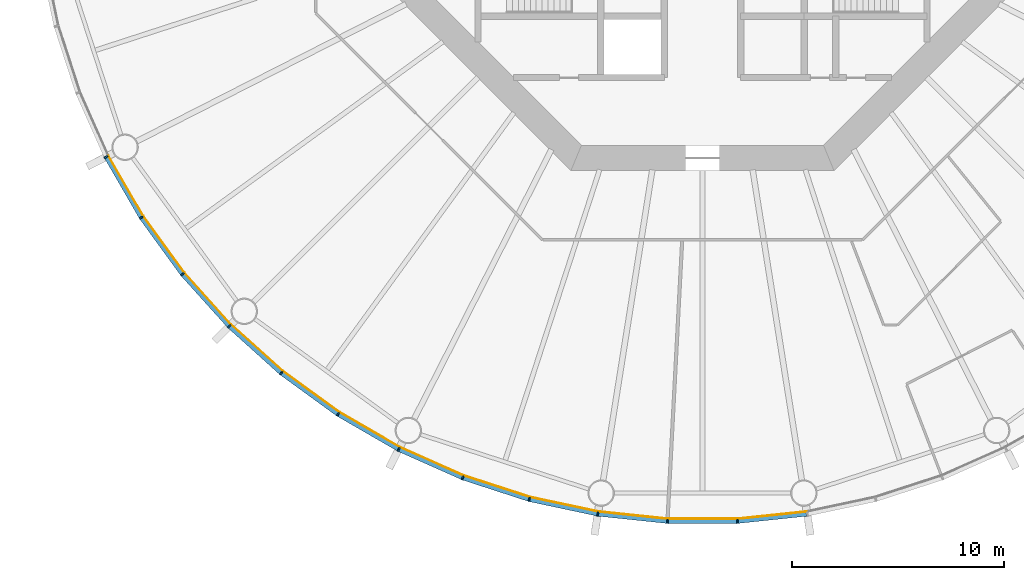
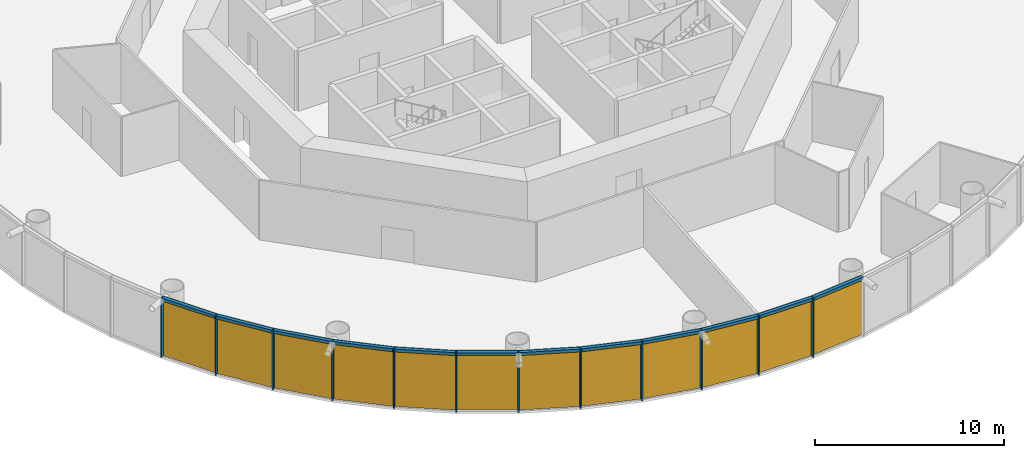
# One storey, part 6 of 12: 24 members, 4 curtain walls.
"""IFC4 building model written with IfcOpenShell, lengths in metres."""

from ifc_helpers import new_model, si_unit, direction, frame, origin, origin_2d, place, context, subcontext, project, spatial, polyline, rectangle, outline, extrude, material, layer, layer_set, material_profile, profile_set, type_object, element, aggregate, save


model = new_model("IFC4")

# Units and contexts
model_context = context("Model", 3, precision=1e-05, world=origin(), true_north=direction((0.0, 1.0)))
body_context = subcontext(model_context, "Body", "Model", "MODEL_VIEW")
ifc_project = project(units=[si_unit("LENGTHUNIT", "METRE"), si_unit("AREAUNIT", "SQUARE_METRE"), si_unit("VOLUMEUNIT", "CUBIC_METRE"), si_unit("PLANEANGLEUNIT", "RADIAN"), si_unit("MASSUNIT", "GRAM", prefix="KILO")], contexts=[model_context])

# Member
ifc_material_1 = material(Name="Anodised aluminium", Category="aluminium")
ifc_material_profile_1 = material_profile(ifc_material_1, rectangle(XDim=0.070068359375, YDim=0.199951171875, at=origin_2d()), Name="Mullion 70 x 200 mm anodised aluminium")
ifc_profile_set_1 = profile_set([ifc_material_profile_1], Name="Anodised aluminium")
member_type_1 = type_object("IfcMemberType", Name="Mullion 70 x 200 mm anodised aluminium", PredefinedType="MULLION", material=ifc_profile_set_1)
site_placement = place(None, origin())
building_placement = place(site_placement, origin())
storey_placement = place(building_placement, frame((0.0, 0.0, 128.0)))
member_1_placement = place(storey_placement, frame((61.84423828125, 65.65380859375, 0.0), z_axis=(0.0, 0.0, 1.0), x_axis=(0.45399049974, -0.891006524188, 0.0)))
member_1 = element("IfcMember", 1, at=member_1_placement, type_object=member_type_1, Name="MULLION L29-33", PredefinedType="MULLION", context=body_context, shape_type="SweptSolid", body=[
    extrude(rectangle(XDim=0.070068359375, YDim=0.199951171875, at=origin_2d()), origin(), (0.0, 0.0, 1.0), 3.85009765625),
])

member_2_placement = place(storey_placement, frame((63.498046875, 62.789306640625, 0.0), z_axis=(0.0, 0.0, 1.0), x_axis=(0.544639035015, -0.838670567945, 0.0)))
member_2 = element("IfcMember", 2, at=member_2_placement, type_object=member_type_1, Name="MULLION L29-34", PredefinedType="MULLION", context=body_context, shape_type="SweptSolid", body=[
    extrude(rectangle(XDim=0.070068359375, YDim=0.199951171875, at=origin_2d()), origin(), (0.0, 0.0, 1.0), 3.85009765625),
])

member_3_placement = place(storey_placement, frame((65.442138671875, 60.113525390625, 0.0), z_axis=(0.0, 0.0, 1.0), x_axis=(0.62932039105, -0.777145961457, 0.0)))
member_3 = element("IfcMember", 3, at=member_3_placement, type_object=member_type_1, Name="MULLION L29-35", PredefinedType="MULLION", context=body_context, shape_type="SweptSolid", body=[
    extrude(rectangle(XDim=0.070068359375, YDim=0.199951171875, at=origin_2d()), origin(), (0.0, 0.0, 1.0), 3.85009765625),
])

member_4_placement = place(storey_placement, frame((67.655517578125, 57.655517578125, 0.0), z_axis=(0.0, 0.0, 1.0), x_axis=(0.707106781187, -0.707106781187, 0.0)))
member_4 = element("IfcMember", 4, at=member_4_placement, type_object=member_type_1, Name="MULLION L29-36", PredefinedType="MULLION", context=body_context, shape_type="SweptSolid", body=[
    extrude(rectangle(XDim=0.070068359375, YDim=0.199951171875, at=origin_2d()), origin(), (0.0, 0.0, 1.0), 3.85009765625),
])

member_5_placement = place(storey_placement, frame((70.113525390625, 55.442138671875, 0.0), z_axis=(0.0, 0.0, 1.0), x_axis=(0.777145961457, -0.62932039105, 0.0)))
member_5 = element("IfcMember", 5, at=member_5_placement, type_object=member_type_1, Name="MULLION L29-37", PredefinedType="MULLION", context=body_context, shape_type="SweptSolid", body=[
    extrude(rectangle(XDim=0.070068359375, YDim=0.199951171875, at=origin_2d()), origin(), (0.0, 0.0, 1.0), 3.85009765625),
])

member_6_placement = place(storey_placement, frame((72.789306640625, 53.498046875, 0.0), z_axis=(0.0, 0.0, 1.0), x_axis=(0.838670567945, -0.544639035015, 0.0)))
member_6 = element("IfcMember", 6, at=member_6_placement, type_object=member_type_1, Name="MULLION L29-38", PredefinedType="MULLION", context=body_context, shape_type="SweptSolid", body=[
    extrude(rectangle(XDim=0.070068359375, YDim=0.199951171875, at=origin_2d()), origin(), (0.0, 0.0, 1.0), 3.85009765625),
])

member_7_placement = place(storey_placement, frame((75.65380859375, 51.84423828125, 0.0), z_axis=(0.0, 0.0, 1.0), x_axis=(0.891006524188, -0.45399049974, 0.0)))
member_7 = element("IfcMember", 7, at=member_7_placement, type_object=member_type_1, Name="MULLION L29-39", PredefinedType="MULLION", context=body_context, shape_type="SweptSolid", body=[
    extrude(rectangle(XDim=0.070068359375, YDim=0.199951171875, at=origin_2d()), origin(), (0.0, 0.0, 1.0), 3.85009765625),
])

member_8_placement = place(storey_placement, frame((78.675537109375, 50.498779296875, 0.0), z_axis=(0.0, 0.0, 1.0), x_axis=(0.933580426497, -0.358367949545, 0.0)))
member_8 = element("IfcMember", 8, at=member_8_placement, type_object=member_type_1, Name="MULLION L29-40", PredefinedType="MULLION", context=body_context, shape_type="SweptSolid", body=[
    extrude(rectangle(XDim=0.070068359375, YDim=0.199951171875, at=origin_2d()), origin(), (0.0, 0.0, 1.0), 3.85009765625),
])

member_9_placement = place(storey_placement, frame((81.8212890625, 49.476806640625, 0.0), z_axis=(0.0, 0.0, 1.0), x_axis=(0.965925826289, -0.258819045103, 0.0)))
member_9 = element("IfcMember", 9, at=member_9_placement, type_object=member_type_1, Name="MULLION L29-41", PredefinedType="MULLION", context=body_context, shape_type="SweptSolid", body=[
    extrude(rectangle(XDim=0.070068359375, YDim=0.199951171875, at=origin_2d()), origin(), (0.0, 0.0, 1.0), 3.85009765625),
])

member_10_placement = place(storey_placement, frame((85.056640625, 48.7890625, 0.0), z_axis=(0.0, 0.0, 1.0), x_axis=(0.987688340595, -0.15643446504, 0.0)))
member_10 = element("IfcMember", 10, at=member_10_placement, type_object=member_type_1, Name="MULLION L29-42", PredefinedType="MULLION", context=body_context, shape_type="SweptSolid", body=[
    extrude(rectangle(XDim=0.070068359375, YDim=0.199951171875, at=origin_2d()), origin(), (0.0, 0.0, 1.0), 3.85009765625),
])

member_11_placement = place(storey_placement, frame((88.34619140625, 48.443359375, 0.0), z_axis=(0.0, 0.0, 1.0), x_axis=(0.998629534755, -0.052335956243, 0.0)))
member_11 = element("IfcMember", 11, at=member_11_placement, type_object=member_type_1, Name="MULLION L29-43", PredefinedType="MULLION", context=body_context, shape_type="SweptSolid", body=[
    extrude(rectangle(XDim=0.070068359375, YDim=0.199951171875, at=origin_2d()), origin(), (0.0, 0.0, 1.0), 3.85009765625),
])

member_12_placement = place(storey_placement, frame((91.65380859375, 48.443359375, 0.0), z_axis=(0.0, 0.0, 1.0), x_axis=(0.998629534755, 0.052335956243, 0.0)))
member_12 = element("IfcMember", 12, at=member_12_placement, type_object=member_type_1, Name="MULLION L29-44", PredefinedType="MULLION", context=body_context, shape_type="SweptSolid", body=[
    extrude(rectangle(XDim=0.070068359375, YDim=0.199951171875, at=origin_2d()), origin(), (0.0, 0.0, 1.0), 3.85009765625),
])

ifc_material_2 = material(Name="Anodised aluminium", Category="aluminium")
ifc_material_profile_2 = material_profile(ifc_material_2, rectangle(XDim=0.199951171875, YDim=0.18994140625, at=origin_2d()), Name="Transom 190 x 200 mm anodised aluminium")
ifc_profile_set_2 = profile_set([ifc_material_profile_2], Name="Anodised aluminium")
member_type_2 = type_object("IfcMemberType", Name="Transom 190 x 200 mm anodised aluminium", PredefinedType="USERDEFINED", material=ifc_profile_set_2)
member_13_placement = place(storey_placement, frame((61.8642578125, 65.618896484375, 3.7548828125), z_axis=(0.500004055213, -0.866023062494, 0.0), x_axis=(0.866023062494, 0.500004055213, 0.0)))
member_13 = element("IfcMember", 13, at=member_13_placement, type_object=member_type_2, Name="TRANSOM L29-33", ObjectType="TRANSOM", PredefinedType="USERDEFINED", context=body_context, shape_type="SweptSolid", body=[
    extrude(rectangle(XDim=0.199951171875, YDim=0.18994140625, at=origin_2d()), origin(), (0.0, 0.0, 1.0), 3.22705078125),
])

member_14_placement = place(storey_placement, frame((63.521484375, 62.7568359375, 3.7548828125), z_axis=(0.587802790201, -0.809004252048, 0.0), x_axis=(0.809004252048, 0.587802790201, 0.0)))
member_14 = element("IfcMember", 14, at=member_14_placement, type_object=member_type_2, Name="TRANSOM L29-34", ObjectType="TRANSOM", PredefinedType="USERDEFINED", context=body_context, shape_type="SweptSolid", body=[
    extrude(rectangle(XDim=0.199951171875, YDim=0.18994140625, at=origin_2d()), origin(), (0.0, 0.0, 1.0), 3.227294921875),
])

member_15_placement = place(storey_placement, frame((65.468994140625, 60.08349609375, 3.7548828125), z_axis=(0.669144438484, -0.743132370743, 0.0), x_axis=(0.743132370743, 0.669144438484, 0.0)))
member_15 = element("IfcMember", 15, at=member_15_placement, type_object=member_type_2, Name="TRANSOM L29-35", ObjectType="TRANSOM", PredefinedType="USERDEFINED", context=body_context, shape_type="SweptSolid", body=[
    extrude(rectangle(XDim=0.199951171875, YDim=0.18994140625, at=origin_2d()), origin(), (0.0, 0.0, 1.0), 3.22705078125),
])

member_16_placement = place(storey_placement, frame((67.685302734375, 57.62841796875, 3.7548828125), z_axis=(0.743132370743, -0.669144438484, 0.0), x_axis=(0.669144438484, 0.743132370743, 0.0)))
member_16 = element("IfcMember", 16, at=member_16_placement, type_object=member_type_2, Name="TRANSOM L29-36", ObjectType="TRANSOM", PredefinedType="USERDEFINED", context=body_context, shape_type="SweptSolid", body=[
    extrude(rectangle(XDim=0.199951171875, YDim=0.18994140625, at=origin_2d()), origin(), (0.0, 0.0, 1.0), 3.22705078125),
])

member_17_placement = place(storey_placement, frame((70.14599609375, 55.41845703125, 3.7548828125), z_axis=(0.809004252048, -0.587802790201, 0.0), x_axis=(0.587802790201, 0.809004252048, 0.0)))
member_17 = element("IfcMember", 17, at=member_17_placement, type_object=member_type_2, Name="TRANSOM L29-37", ObjectType="TRANSOM", PredefinedType="USERDEFINED", context=body_context, shape_type="SweptSolid", body=[
    extrude(rectangle(XDim=0.199951171875, YDim=0.18994140625, at=origin_2d()), origin(), (0.0, 0.0, 1.0), 3.227294921875),
])

member_18_placement = place(storey_placement, frame((72.82421875, 53.477783203125, 3.7548828125), z_axis=(0.866023062494, -0.500004055213, 0.0), x_axis=(0.500004055213, 0.866023062494, 0.0)))
member_18 = element("IfcMember", 18, at=member_18_placement, type_object=member_type_2, Name="TRANSOM L29-38", ObjectType="TRANSOM", PredefinedType="USERDEFINED", context=body_context, shape_type="SweptSolid", body=[
    extrude(rectangle(XDim=0.199951171875, YDim=0.18994140625, at=origin_2d()), origin(), (0.0, 0.0, 1.0), 3.22705078125),
])

member_19_placement = place(storey_placement, frame((75.690673828125, 51.82763671875, 3.7548828125), z_axis=(0.913549291349, -0.406728032322, 0.0), x_axis=(0.406728032322, 0.913549291349, 0.0)))
member_19 = element("IfcMember", 19, at=member_19_placement, type_object=member_type_2, Name="TRANSOM L29-39", ObjectType="TRANSOM", PredefinedType="USERDEFINED", context=body_context, shape_type="SweptSolid", body=[
    extrude(rectangle(XDim=0.199951171875, YDim=0.18994140625, at=origin_2d()), origin(), (0.0, 0.0, 1.0), 3.22705078125),
])

member_20_placement = place(storey_placement, frame((78.7138671875, 50.486328125, 3.7548828125), z_axis=(0.951046855117, -0.309046726844, 0.0), x_axis=(0.309046726844, 0.951046855117, 0.0)))
member_20 = element("IfcMember", 20, at=member_20_placement, type_object=member_type_2, Name="TRANSOM L29-40", ObjectType="TRANSOM", PredefinedType="USERDEFINED", context=body_context, shape_type="SweptSolid", body=[
    extrude(rectangle(XDim=0.199951171875, YDim=0.18994140625, at=origin_2d()), origin(), (0.0, 0.0, 1.0), 3.22705078125),
])

member_21_placement = place(storey_placement, frame((81.860595703125, 49.46826171875, 3.7548828125), z_axis=(0.978153082647, -0.207885898771, 0.0), x_axis=(0.207885898771, 0.978153082647, 0.0)))
member_21 = element("IfcMember", 21, at=member_21_placement, type_object=member_type_2, Name="TRANSOM L29-41", ObjectType="TRANSOM", PredefinedType="USERDEFINED", context=body_context, shape_type="SweptSolid", body=[
    extrude(rectangle(XDim=0.199951171875, YDim=0.18994140625, at=origin_2d()), origin(), (0.0, 0.0, 1.0), 3.227294921875),
])

member_22_placement = place(storey_placement, frame((85.0966796875, 48.78466796875, 3.7548828125), z_axis=(0.994519537956, -0.104550890115, 0.0), x_axis=(0.104550890115, 0.994519537956, 0.0)))
member_22 = element("IfcMember", 22, at=member_22_placement, type_object=member_type_2, Name="TRANSOM L29-42", ObjectType="TRANSOM", PredefinedType="USERDEFINED", context=body_context, shape_type="SweptSolid", body=[
    extrude(rectangle(XDim=0.199951171875, YDim=0.18994140625, at=origin_2d()), origin(), (0.0, 0.0, 1.0), 3.22705078125),
])

member_23_placement = place(storey_placement, frame((88.386474609375, 48.443115234375, 3.7548828125), z_axis=(1.0, 0.0, 0.0), x_axis=(0.0, 1.0, 0.0)))
member_23 = element("IfcMember", 23, at=member_23_placement, type_object=member_type_2, Name="TRANSOM L29-43", ObjectType="TRANSOM", PredefinedType="USERDEFINED", context=body_context, shape_type="SweptSolid", body=[
    extrude(rectangle(XDim=0.199951171875, YDim=0.18994140625, at=origin_2d()), origin(), (0.0, 0.0, 1.0), 3.22705078125),
])

member_24_placement = place(storey_placement, frame((91.69384765625, 48.447265625, 3.7548828125), z_axis=(0.994519537956, 0.104550890115, 0.0), x_axis=(-0.104550890115, 0.994519537956, 0.0)))
member_24 = element("IfcMember", 24, at=member_24_placement, type_object=member_type_2, Name="TRANSOM L29-44", ObjectType="TRANSOM", PredefinedType="USERDEFINED", context=body_context, shape_type="SweptSolid", body=[
    extrude(rectangle(XDim=0.199951171875, YDim=0.18994140625, at=origin_2d()), origin(), (0.0, 0.0, 1.0), 3.22705078125),
])

# Site, building, storey
site = spatial("IfcSite", under=ifc_project, at=site_placement, CompositionType="ELEMENT")
building = spatial("IfcBuilding", under=site, at=building_placement, Name="Entoto Ring Tower", CompositionType="ELEMENT")
storey = spatial("IfcBuildingStorey", under=building, at=storey_placement, Name="L29", CompositionType="ELEMENT", Elevation=128.0)

# Curtain wall
ifc_material_3 = material(Name="Clear low-iron glass", Category="glass")
ifc_layer = layer(ifc_material_3, 0.035888671875)
ifc_layer_set = layer_set([ifc_layer], Name="Clear low-iron glass")
curtain_wall_type = type_object("IfcCurtainWallType", Name="Curtain wall system CW2 glazing 36 mm", PredefinedType="NOTDEFINED", material=ifc_layer_set)
curtain_wall_1_placement = place(storey_placement, origin())
curtain_wall_1 = element("IfcCurtainWall", 25, at=curtain_wall_1_placement, inside=storey, type_object=curtain_wall_type, Name="CW2 L29-12", PredefinedType="NOTDEFINED", context=body_context, shape_type="SweptSolid", body=[
    extrude(outline(polyline([(61.933349609375, 65.69921875), (63.581787109375, 62.84375), (65.52001953125, 60.176513671875), (67.72607421875, 57.72607421875), (67.751708984375, 57.751708984375), (65.5478515625, 60.198974609375), (63.612060546875, 62.863525390625), (61.96533203125, 65.715576171875), (61.933349609375, 65.69921875)])), origin(), (0.0, 0.0, 1.0), 3.85009765625),
])

aggregate(curtain_wall_1, [member_1, member_2, member_3, member_13, member_14, member_15])

curtain_wall_2_placement = place(storey_placement, origin())
curtain_wall_2 = element("IfcCurtainWall", 26, at=curtain_wall_2_placement, inside=storey, type_object=curtain_wall_type, Name="CW2 L29-13", PredefinedType="NOTDEFINED", context=body_context, shape_type="SweptSolid", body=[
    extrude(outline(polyline([(67.72607421875, 57.72607421875), (70.176513671875, 55.52001953125), (72.84375, 53.581787109375), (75.69921875, 51.933349609375), (75.715576171875, 51.96533203125), (72.863525390625, 53.612060546875), (70.198974609375, 55.5478515625), (67.751708984375, 57.751708984375), (67.72607421875, 57.72607421875)])), origin(), (0.0, 0.0, 1.0), 3.85009765625),
])

aggregate(curtain_wall_2, [member_4, member_5, member_6, member_16, member_17, member_18])

curtain_wall_3_placement = place(storey_placement, origin())
curtain_wall_3 = element("IfcCurtainWall", 27, at=curtain_wall_3_placement, inside=storey, type_object=curtain_wall_type, Name="CW2 L29-14", PredefinedType="NOTDEFINED", context=body_context, shape_type="SweptSolid", body=[
    extrude(outline(polyline([(75.69921875, 51.933349609375), (78.71142578125, 50.59228515625), (81.84716796875, 49.5732421875), (85.072265625, 48.8876953125), (85.077880859375, 48.92333984375), (81.8564453125, 49.608154296875), (78.724365234375, 50.6259765625), (75.715576171875, 51.96533203125), (75.69921875, 51.933349609375)])), origin(), (0.0, 0.0, 1.0), 3.85009765625),
])

aggregate(curtain_wall_3, [member_7, member_8, member_9, member_19, member_20, member_21])

curtain_wall_4_placement = place(storey_placement, origin())
curtain_wall_4 = element("IfcCurtainWall", 28, at=curtain_wall_4_placement, inside=storey, type_object=curtain_wall_type, Name="CW2 L29-15", PredefinedType="NOTDEFINED", context=body_context, shape_type="SweptSolid", body=[
    extrude(outline(polyline([(85.072265625, 48.8876953125), (88.351318359375, 48.543212890625), (91.648681640625, 48.543212890625), (94.927734375, 48.8876953125), (94.922119140625, 48.92333984375), (91.646728515625, 48.5791015625), (88.353271484375, 48.5791015625), (85.077880859375, 48.92333984375), (85.072265625, 48.8876953125)])), origin(), (0.0, 0.0, 1.0), 3.85009765625),
])

aggregate(curtain_wall_4, [member_10, member_11, member_12, member_22, member_23, member_24])

save(model, "model.ifc")
